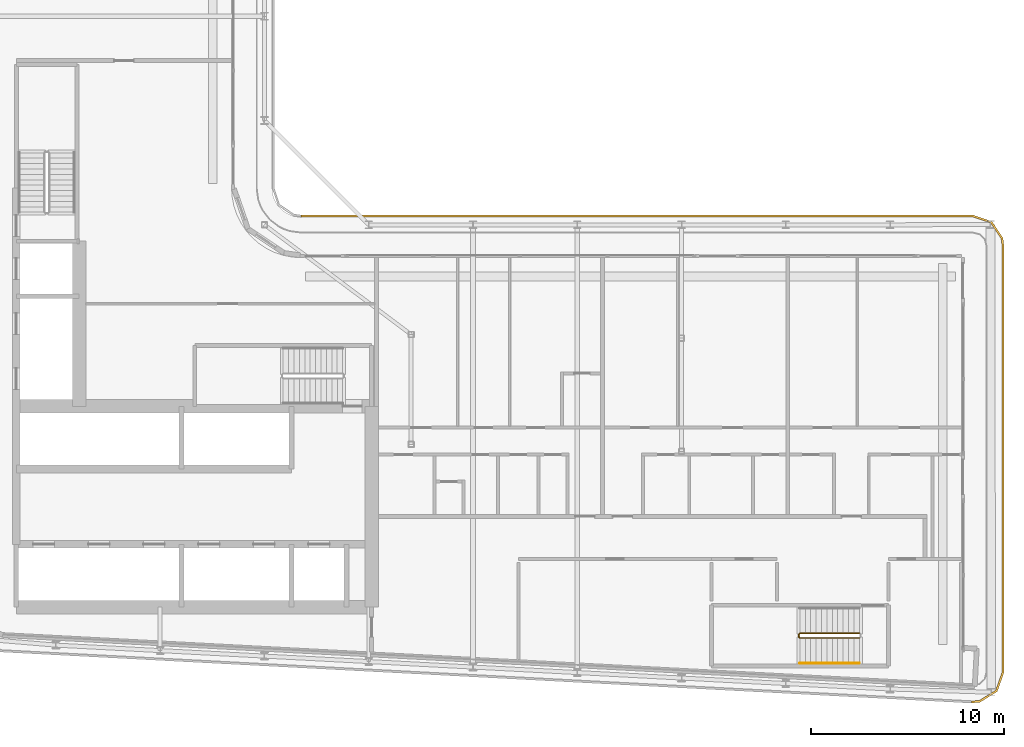
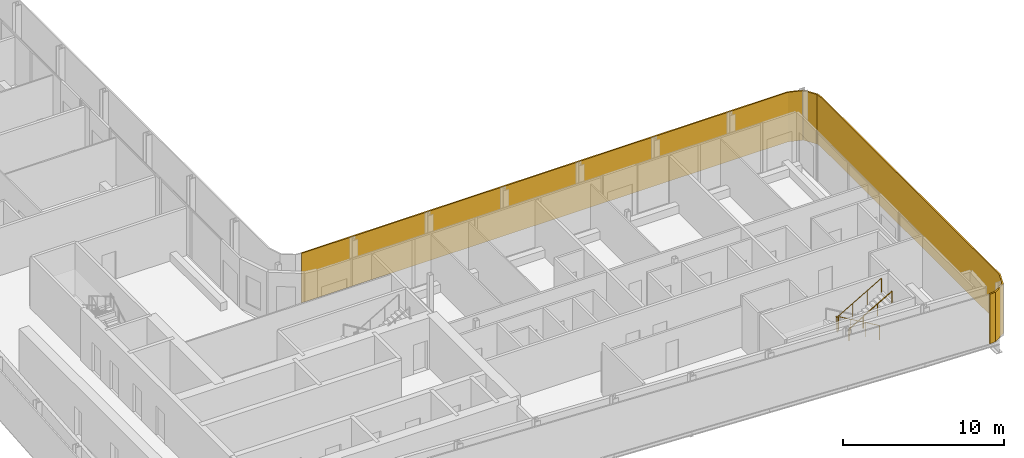
# One storey, part 17 of 22: 2 railings, 1 shading device.
"""IFC4 building model written with IfcOpenShell, lengths in metres."""

from ifc_helpers import new_model, si_unit, direction, frame, origin, origin_2d, place, context, subcontext, project, spatial, polyline, circle, outline, extrude, material, layer, layer_set, type_object, element, save


model = new_model("IFC4")

# Units and contexts
model_context = context("Model", 3, precision=1e-05, world=origin(), true_north=direction((0.0, 1.0)))
body_context = subcontext(model_context, "Body", "Model", "MODEL_VIEW")
ifc_project = project(units=[si_unit("LENGTHUNIT", "METRE"), si_unit("AREAUNIT", "SQUARE_METRE"), si_unit("VOLUMEUNIT", "CUBIC_METRE"), si_unit("PLANEANGLEUNIT", "RADIAN"), si_unit("MASSUNIT", "GRAM", prefix="KILO")], contexts=[model_context])

# Site, building, storey
site_placement = place(None, origin())
site = spatial("IfcSite", under=ifc_project, at=site_placement, CompositionType="ELEMENT")
building_placement = place(site_placement, origin())
building = spatial("IfcBuilding", under=site, at=building_placement, Name="Kheshtan School and Residences Tower", CompositionType="ELEMENT")
storey_placement = place(building_placement, frame((0.0, 0.0, 216.199951171875)))
storey = spatial("IfcBuildingStorey", under=building, at=storey_placement, Name="L50", CompositionType="ELEMENT", Elevation=216.199951171875)

# Shading device
ifc_material_1 = material(Name="Terracotta lattice, extruded ceramic", Category="masonry")
ifc_layer = layer(ifc_material_1, 0.10009765625)
ifc_layer_set = layer_set([ifc_layer], Name="Loggia screen, terracotta lattice")
shading_device_type = type_object("IfcShadingDeviceType", Name="Loggia screen, terracotta lattice", PredefinedType="USERDEFINED", material=ifc_layer_set)
shading_device_placement = place(storey_placement, origin())
element("IfcShadingDevice", 1, at=shading_device_placement, inside=storey, type_object=shading_device_type, Name="Screen L50 2", ObjectType="SCREEN", PredefinedType="USERDEFINED", context=body_context, shape_type="SweptSolid", body=[
    extrude(outline(polyline([(49.5, 46.0), (84.300048828125, 46.0), (85.212890625, 45.68994140625), (85.7490234375, 44.887939453125), (85.800048828125, 44.5), (85.800048828125, 22.43408203125), (85.469970703125, 21.4951171875), (84.6240234375, 20.968994140625), (84.220947265625, 20.93603515625), (84.22900390625, 20.8359375), (84.656005859375, 20.87109375), (85.552978515625, 21.428955078125), (85.89990234375, 22.4169921875), (85.89990234375, 44.507080078125), (85.844970703125, 44.924072265625), (85.277099609375, 45.77392578125), (84.31689453125, 46.10009765625), (49.5, 46.10009765625), (49.5, 46.0)])), origin(), (0.0, 0.0, 1.0), 3.75),
])

# Railings
ifc_material_2 = material(Name="Stainless steel balustrade", Category="steel")
railing_type_1 = type_object("IfcRailingType", Name="Stair guard 1100", PredefinedType="GUARDRAIL", material=ifc_material_2)
railing_1_placement = place(storey_placement, frame((78.409912109375, 24.449951171875, 0.16259765625)))
element("IfcRailing", 2, at=railing_1_placement, inside=storey, type_object=railing_type_1, Name="L50 ST5 stair guard 1", PredefinedType="GUARDRAIL", context=body_context, shape_type="SweptSolid", body=[
    extrude(circle(Radius=0.02392578125, at=origin_2d()), frame((0.0, 0.0, 1.076171875), z_axis=(-0.864903211148, 0.0, 0.501938676878), x_axis=(0.0, -1.0, 0.0)), (0.0, 0.0, 1.0), 3.560791015625),
    extrude(circle(Radius=0.02392578125, at=origin_2d()), frame((-3.079833984375, 0.0, 2.86328125), z_axis=(-0.707106781187, -0.707106781187, 0.0), x_axis=(0.707106781187, -0.707106781187, 0.0)), (0.0, 0.0, 1.0), 0.07080078125),
    extrude(circle(Radius=0.02392578125, at=origin_2d()), frame((-3.1298828125, -0.050048828125, 2.86328125), z_axis=(0.0, -1.0, 0.0), x_axis=(1.0, 0.0, 0.0)), (0.0, 0.0, 1.0), 0.14990234375),
    extrude(circle(Radius=0.02392578125, at=origin_2d()), frame((-3.1298828125, -0.199951171875, 2.86328125), z_axis=(0.282227285176, -0.282227285176, 0.916894497205), x_axis=(0.707106781187, 0.707106781187, 0.0)), (0.0, 0.0, 1.0), 0.17724609375),
    extrude(circle(Radius=0.02392578125, at=origin_2d()), frame((-3.079833984375, -0.25, 3.02587890625), z_axis=(0.864873446163, 0.0, 0.501989962173), x_axis=(0.0, 1.0, 0.0)), (0.0, 0.0, 1.0), 3.56103515625),
    extrude(circle(Radius=0.02099609375, at=origin_2d()), origin(), (0.0, 0.0, 1.0), 1.052001953125),
    extrude(circle(Radius=0.02099609375, at=origin_2d()), frame((-1.026611328125, 0.0, 0.595703125)), (0.0, 0.0, 1.0), 1.052001953125),
    extrude(circle(Radius=0.02099609375, at=origin_2d()), frame((-2.05322265625, 0.0, 1.191650390625)), (0.0, 0.0, 1.0), 1.052001953125),
    extrude(circle(Radius=0.02099609375, at=origin_2d()), frame((-3.079833984375, 0.0, 1.787353515625)), (0.0, 0.0, 1.0), 1.052001953125),
    extrude(circle(Radius=0.02099609375, at=origin_2d()), frame((-3.1298828125, -0.050048828125, 1.787353515625)), (0.0, 0.0, 1.0), 1.052001953125),
    extrude(circle(Radius=0.02099609375, at=origin_2d()), frame((-3.1298828125, -0.199951171875, 1.787353515625)), (0.0, 0.0, 1.0), 1.052001953125),
    extrude(circle(Radius=0.02099609375, at=origin_2d()), frame((-3.079833984375, -0.25, 1.949951171875)), (0.0, 0.0, 1.0), 1.052001953125),
    extrude(circle(Radius=0.02099609375, at=origin_2d()), frame((-2.05322265625, -0.25, 2.5458984375)), (0.0, 0.0, 1.0), 1.052001953125),
    extrude(circle(Radius=0.02099609375, at=origin_2d()), frame((-1.026611328125, -0.25, 3.1416015625)), (0.0, 0.0, 1.0), 1.052001953125),
    extrude(circle(Radius=0.02099609375, at=origin_2d()), frame((0.0, -0.25, 3.737548828125)), (0.0, 0.0, 1.0), 1.052001953125),
])
ifc_material_3 = material(Name="Stainless steel handrail", Category="steel")
railing_type_2 = type_object("IfcRailingType", Name="Stair handrail 900", PredefinedType="HANDRAIL", material=ifc_material_3)
railing_2_placement = place(storey_placement, frame((75.330078125, 22.89990234375, 2.112548828125)))
element("IfcRailing", 3, at=railing_2_placement, inside=storey, type_object=railing_type_2, Name="L50 ST5 stair handrail 2", PredefinedType="HANDRAIL", context=body_context, shape_type="SweptSolid", body=[
    extrude(circle(Radius=0.02392578125, at=origin_2d()), frame((0.0, 0.0, 0.8759765625), z_axis=(0.864873446163, 0.0, 0.501989962173), x_axis=(0.0, 1.0, 0.0)), (0.0, 0.0, 1.0), 3.56103515625),
    extrude(circle(Radius=0.02099609375, at=origin_2d()), origin(), (0.0, 0.0, 1.0), 0.851806640625),
    extrude(circle(Radius=0.02099609375, at=origin_2d()), frame((1.026611328125, 0.0, 0.595947265625)), (0.0, 0.0, 1.0), 0.851806640625),
    extrude(circle(Radius=0.02099609375, at=origin_2d()), frame((2.05322265625, 0.0, 1.191650390625)), (0.0, 0.0, 1.0), 0.851806640625),
    extrude(circle(Radius=0.02099609375, at=origin_2d()), frame((3.079833984375, 0.0, 1.78759765625)), (0.0, 0.0, 1.0), 0.851806640625),
])

save(model, "model.ifc")
